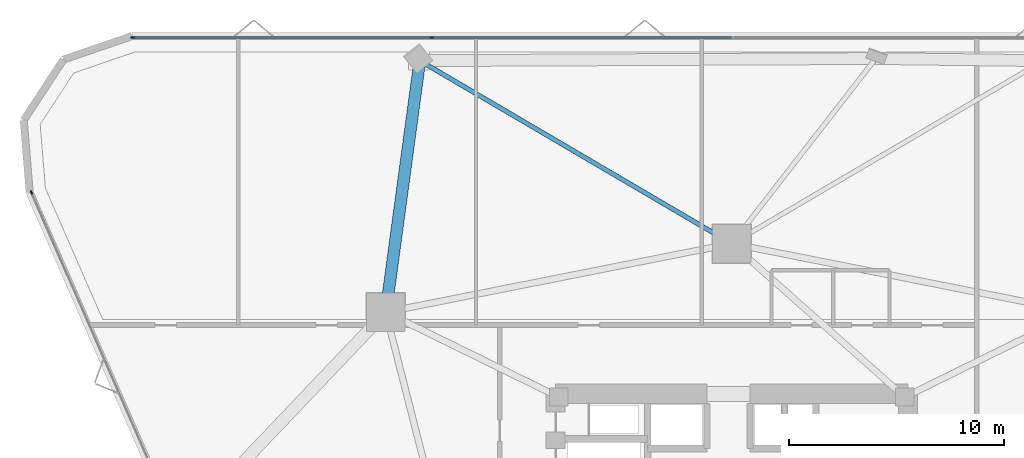
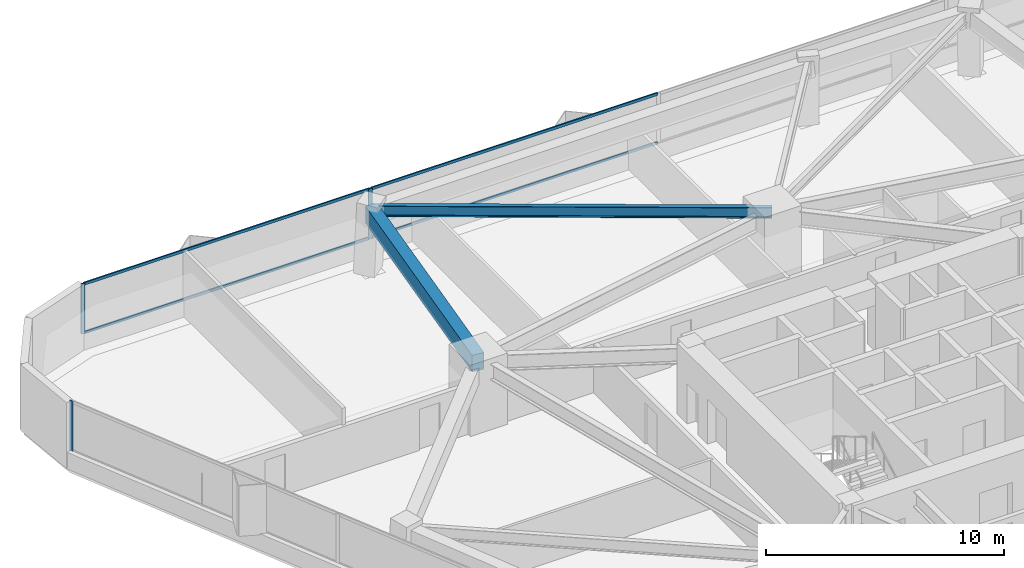
# One storey, part 12 of 21: 7 members, 2 beams, 2 elements without a shape of their own.
"""IFC4 building model written with IfcOpenShell, lengths in metres."""

from ifc_helpers import new_model, si_unit, direction, frame, origin, origin_2d, place, context, subcontext, project, spatial, rectangle, i_section, extrude, material, layer, layer_set, material_profile, profile_set, type_object, element, aggregate, save


model = new_model("IFC4")

# Units and contexts
model_context = context("Model", 3, precision=1e-05, world=origin(), true_north=direction((0.0, 1.0)))
body_context = subcontext(model_context, "Body", "Model", "MODEL_VIEW")
ifc_project = project(units=[si_unit("LENGTHUNIT", "METRE"), si_unit("AREAUNIT", "SQUARE_METRE"), si_unit("VOLUMEUNIT", "CUBIC_METRE"), si_unit("PLANEANGLEUNIT", "RADIAN"), si_unit("MASSUNIT", "GRAM", prefix="KILO")], contexts=[model_context])

# Site, building, storey
site_placement = place(None, origin())
site = spatial("IfcSite", under=ifc_project, at=site_placement, CompositionType="ELEMENT")
building_placement = place(site_placement, origin())
building = spatial("IfcBuilding", under=site, at=building_placement, Name="Talyreon Biosciences Tower", CompositionType="ELEMENT")
storey_placement = place(building_placement, frame((0.0, 0.0, 55.64990234375)))
storey = spatial("IfcBuildingStorey", under=building, at=storey_placement, Name="L14", CompositionType="ELEMENT", Elevation=55.64990234375)

# Curtain wall, member
ifc_material_1 = material(Name="Thermally broken aluminium and low-E glazing", Category="aluminium")
ifc_layer = layer(ifc_material_1, 0.195068359375)
ifc_layer_set = layer_set([ifc_layer], Name="Thermally broken aluminium and low-E glazing")
curtain_wall_type = type_object("IfcCurtainWallType", Name="CurtainWall_Zone1WetLab", PredefinedType="NOTDEFINED", material=ifc_layer_set)
curtain_wall_1_placement = place(storey_placement, origin())
curtain_wall_1 = element("IfcCurtainWall", 1, at=curtain_wall_1_placement, inside=storey, type_object=curtain_wall_type, Name="L14 Unitised Curtain Wall FCW-L14-00", PredefinedType="NOTDEFINED")
ifc_material_2 = material(Name="Anodised thermally broken aluminium", Category="aluminium")
ifc_material_profile_1 = material_profile(ifc_material_2, rectangle(XDim=0.06494140625, YDim=0.179931640625, at=origin_2d()), Name="ALUM MULLION 65x180")
ifc_profile_set_1 = profile_set([ifc_material_profile_1], Name="Anodised thermally broken aluminium")
member_type_1 = type_object("IfcMemberType", Name="CWMullion_65x180", PredefinedType="MULLION", material=ifc_profile_set_1)
member_1_placement = place(storey_placement, frame((33.4072265625, 84.171142578125, 0.81005859375), z_axis=(0.0, 0.0, 1.0), x_axis=(-0.916092182361, -0.400967721165, 0.0)))
member_1 = element("IfcMember", 2, at=member_1_placement, type_object=member_type_1, Name="CW2 mullion 6", PredefinedType="MULLION", context=body_context, shape_type="SweptSolid", body=[
    extrude(rectangle(XDim=0.06494140625, YDim=0.179931640625, at=origin_2d()), origin(), (0.0, 0.0, 1.0), 2.56494140625),
])
aggregate(curtain_wall_1, [member_1])

# Curtain wall, members
curtain_wall_2_placement = place(storey_placement, origin())
curtain_wall_2 = element("IfcCurtainWall", 3, at=curtain_wall_2_placement, inside=storey, type_object=curtain_wall_type, Name="L14 Unitised Curtain Wall FCW-L14-04", PredefinedType="NOTDEFINED")
member_2_placement = place(storey_placement, frame((38.1171875, 91.373779296875, 0.81005859375), z_axis=(0.0, 0.0, 1.0), x_axis=(0.0, 1.0, 0.0)))
member_2 = element("IfcMember", 4, at=member_2_placement, type_object=member_type_1, Name="CW2 mullion 1", PredefinedType="MULLION", context=body_context, shape_type="SweptSolid", body=[
    extrude(rectangle(XDim=0.06494140625, YDim=0.179931640625, at=origin_2d()), origin(), (0.0, 0.0, 1.0), 2.56494140625),
])
member_3_placement = place(storey_placement, frame((52.042236328125, 91.373779296875, 0.81005859375), z_axis=(0.0, 0.0, 1.0), x_axis=(0.0, 1.0, 0.0)))
member_3 = element("IfcMember", 5, at=member_3_placement, type_object=member_type_1, Name="CW2 mullion 2", PredefinedType="MULLION", context=body_context, shape_type="SweptSolid", body=[
    extrude(rectangle(XDim=0.06494140625, YDim=0.179931640625, at=origin_2d()), origin(), (0.0, 0.0, 1.0), 2.56494140625),
])
ifc_material_profile_2 = material_profile(ifc_material_2, rectangle(XDim=0.06494140625, YDim=0.139892578125, at=origin_2d()), Name="ALUM TRANSOM 65x140")
ifc_profile_set_2 = profile_set([ifc_material_profile_2], Name="Anodised thermally broken aluminium")
member_type_2 = type_object("IfcMemberType", Name="CWTransom_65x140", PredefinedType="USERDEFINED", material=ifc_profile_set_2)
member_4_placement = place(storey_placement, frame((38.149658203125, 91.373779296875, 0.842529296875), z_axis=(1.0, 0.0, 0.0), x_axis=(0.0, 1.0, 0.0)))
member_4 = element("IfcMember", 6, at=member_4_placement, type_object=member_type_2, Name="CW2 transom 1.1", ObjectType="TRANSOM", PredefinedType="USERDEFINED", context=body_context, shape_type="SweptSolid", body=[
    extrude(rectangle(XDim=0.06494140625, YDim=0.139892578125, at=origin_2d()), origin(), (0.0, 0.0, 1.0), 13.860107421875),
])
member_5_placement = place(storey_placement, frame((38.149658203125, 91.373779296875, 3.342529296875), z_axis=(1.0, 0.0, 0.0), x_axis=(0.0, 1.0, 0.0)))
member_5 = element("IfcMember", 7, at=member_5_placement, type_object=member_type_2, Name="CW2 transom 1.2", ObjectType="TRANSOM", PredefinedType="USERDEFINED", context=body_context, shape_type="SweptSolid", body=[
    extrude(rectangle(XDim=0.06494140625, YDim=0.139892578125, at=origin_2d()), origin(), (0.0, 0.0, 1.0), 13.860107421875),
])
member_6_placement = place(storey_placement, frame((52.07470703125, 91.373779296875, 0.842529296875), z_axis=(1.0, 0.0, 0.0), x_axis=(0.0, 1.0, 0.0)))
member_6 = element("IfcMember", 8, at=member_6_placement, type_object=member_type_2, Name="CW2 transom 2.1", ObjectType="TRANSOM", PredefinedType="USERDEFINED", context=body_context, shape_type="SweptSolid", body=[
    extrude(rectangle(XDim=0.06494140625, YDim=0.139892578125, at=origin_2d()), origin(), (0.0, 0.0, 1.0), 13.892822265625),
])
member_7_placement = place(storey_placement, frame((52.07470703125, 91.373779296875, 3.342529296875), z_axis=(1.0, 0.0, 0.0), x_axis=(0.0, 1.0, 0.0)))
member_7 = element("IfcMember", 9, at=member_7_placement, type_object=member_type_2, Name="CW2 transom 2.2", ObjectType="TRANSOM", PredefinedType="USERDEFINED", context=body_context, shape_type="SweptSolid", body=[
    extrude(rectangle(XDim=0.06494140625, YDim=0.139892578125, at=origin_2d()), origin(), (0.0, 0.0, 1.0), 13.892822265625),
])
aggregate(curtain_wall_2, [member_2, member_3, member_4, member_5, member_6, member_7])

# Beams
ifc_material_3 = material(Name="Precast concrete C45/55", Category="concrete")
ifc_material_profile_3 = material_profile(ifc_material_3, rectangle(XDim=0.550048828125, YDim=0.85009765625, at=origin_2d()), Name="RCB 550x850")
ifc_profile_set_3 = profile_set([ifc_material_profile_3], Name="Precast concrete C45/55")
beam_type_1 = type_object("IfcBeamType", Name="ExpressedSpandrel_550x850", PredefinedType="SPANDREL", material=ifc_profile_set_3)
beam_1_placement = place(storey_placement, frame((51.48388671875, 90.303955078125, 2.9501953125), z_axis=(-0.134282147759, -0.990943139031, 0.0), x_axis=(0.990943139031, -0.134282147759, 0.0)))
element("IfcBeam", 10, at=beam_1_placement, inside=storey, type_object=beam_type_1, Name="L14 Expressed Horizontal Concrete Spandrel 08", PredefinedType="SPANDREL", context=body_context, shape_type="SweptSolid", body=[
    extrude(rectangle(XDim=0.550048828125, YDim=0.85009765625, at=origin_2d()), origin(), (0.0, 0.0, 1.0), 11.812255859375),
])
ifc_material_4 = material(Name="Steel SM355", Category="steel")
ifc_material_profile_4 = material_profile(ifc_material_4, i_section(OverallWidth=0.2099609375, OverallDepth=0.550048828125, WebThickness=0.010986328125, FlangeThickness=0.01708984375, FilletRadius=0.02392578125, at=origin_2d()), Name="IPE550")
ifc_profile_set_4 = profile_set([ifc_material_profile_4], Name="Steel SM355")
beam_type_2 = type_object("IfcBeamType", Name="SteelJoist_IPE550", PredefinedType="JOIST", material=ifc_profile_set_4)
beam_2_placement = place(storey_placement, frame((66.0, 81.788818359375, 3.10009765625), z_axis=(-0.862550399645, 0.505971153399, 0.0), x_axis=(-0.505971153399, -0.862550399645, 0.0)))
element("IfcBeam", 11, at=beam_2_placement, inside=storey, type_object=beam_type_2, Name="L14 Radial Composite Floor Joist PC-N2", PredefinedType="JOIST", context=body_context, shape_type="SweptSolid", body=[
    extrude(i_section(OverallWidth=0.2099609375, OverallDepth=0.550048828125, WebThickness=0.010986328125, FlangeThickness=0.01708984375, FilletRadius=0.02392578125, at=origin_2d()), origin(), (0.0, 0.0, 1.0), 16.829345703125),
])

save(model, "model.ifc")
